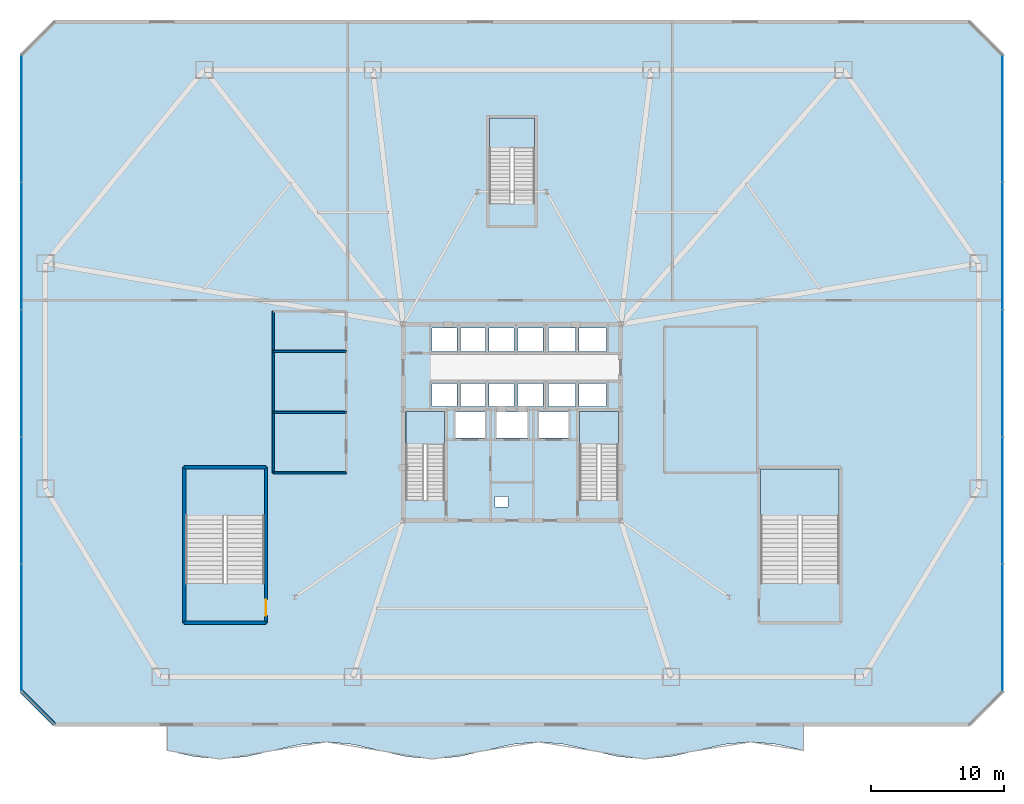
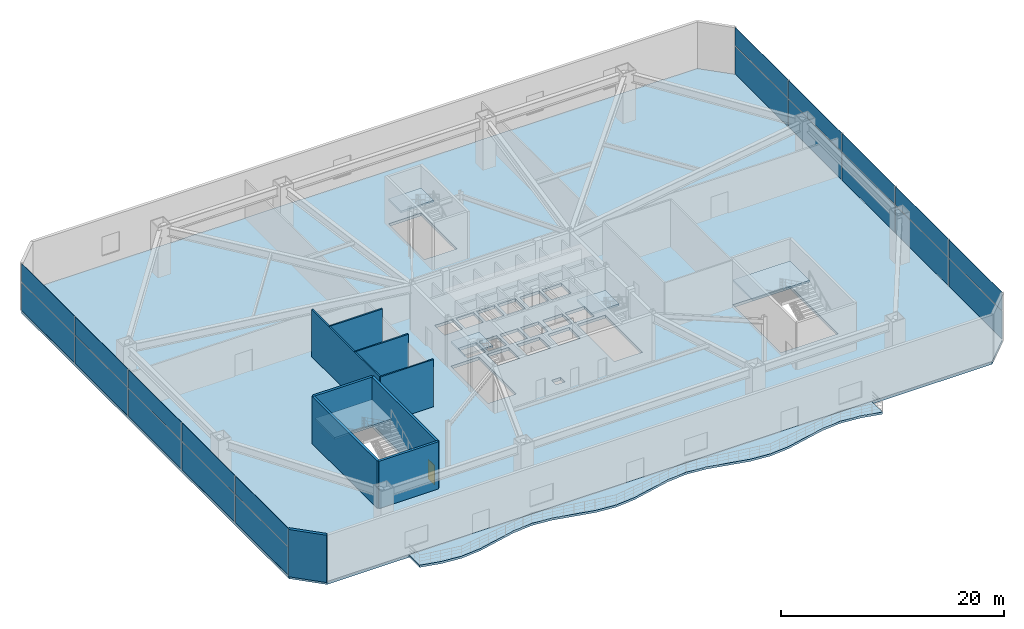
# One storey, part 12 of 20: 20 plates, 9 walls, 7 slabs, 1 door, 1 opening, 7 elements without a shape of their own.
"""IFC4 building model written with IfcOpenShell, lengths in metres."""

from ifc_helpers import new_model, si_unit, direction, frame, frame_2d, origin, origin_2d, place, context, subcontext, project, spatial, polyline, rectangle, outline, extrude, source, transform, mapped, material, layer, layer_set, type_object, type_shapes, element, fill, aggregate, save


model = new_model("IFC4")

# Units and contexts
model_context = context("Model", 3, precision=1e-05, world=origin(), true_north=direction((0.0, 1.0)))
body_context = subcontext(model_context, "Body", "Model", "MODEL_VIEW")
ifc_project = project(units=[si_unit("LENGTHUNIT", "METRE"), si_unit("AREAUNIT", "SQUARE_METRE"), si_unit("VOLUMEUNIT", "CUBIC_METRE"), si_unit("PLANEANGLEUNIT", "RADIAN"), si_unit("MASSUNIT", "GRAM", prefix="KILO")], contexts=[model_context])

# Site, building, storey
site_placement = place(None, origin())
site = spatial("IfcSite", under=ifc_project, at=site_placement, CompositionType="ELEMENT")
building_placement = place(site_placement, origin())
building = spatial("IfcBuilding", under=site, at=building_placement, Name="Varakhsha Concourse Tower", CompositionType="ELEMENT")
storey_placement = place(building_placement, frame((0.0, 0.0, 11.0)))
storey = spatial("IfcBuildingStorey", under=building, at=storey_placement, Name="L03", CompositionType="ELEMENT", Elevation=11.0)

# Slab
ifc_material_1 = material(Name="Concrete fc 45 MPa", Category="concrete")
ifc_layer_1 = layer(ifc_material_1, 0.320068359375, Name="SL-FLR-320")
ifc_layer_set_1 = layer_set([ifc_layer_1], Name="Concrete fc 45 MPa")
slab_type_1 = type_object("IfcSlabType", Name="SL-FLR-320", PredefinedType="FLOOR", material=ifc_layer_set_1)
slab_1_placement = place(storey_placement, frame((0.0, 0.0, -0.320068359375)))
element("IfcSlab", 1, at=slab_1_placement, inside=storey, type_object=slab_type_1, Name="L03 Composite Structural Slab", PredefinedType="FLOOR", context=body_context, shape_type="SweptSolid", body=[
    extrude(outline(polyline([(5.5, 1.0), (74.5, 1.0), (77.0, 3.5), (77.0, 51.5), (74.5, 54.0), (5.5, 54.0), (3.0, 51.5), (3.0, 3.5), (5.5, 1.0)]), holes=[polyline([(34.919921875, 17.93994140625), (34.919921875, 24.6298828125), (32.0, 24.6298828125), (32.0, 17.93994140625), (34.919921875, 17.93994140625)]), polyline([(48.02001953125, 17.93994140625), (48.02001953125, 24.6298828125), (45.10009765625, 24.6298828125), (45.10009765625, 17.93994140625), (48.02001953125, 17.93994140625)]), polyline([(21.320068359375, 11.659912109375), (21.320068359375, 20.300048828125), (15.39990234375, 20.300048828125), (15.39990234375, 11.659912109375), (21.320068359375, 11.659912109375)]), polyline([(64.679931640625, 11.659912109375), (64.679931640625, 20.300048828125), (58.760009765625, 20.300048828125), (58.760009765625, 11.659912109375), (64.679931640625, 11.659912109375)]), polyline([(41.699951171875, 40.300048828125), (41.699951171875, 46.75), (38.300048828125, 46.75), (38.300048828125, 40.300048828125), (41.699951171875, 40.300048828125)]), polyline([(33.9599609375, 29.159912109375), (35.840087890625, 29.159912109375), (35.840087890625, 30.89990234375), (33.9599609375, 30.89990234375), (33.9599609375, 29.159912109375)]), polyline([(36.1201171875, 29.159912109375), (38.0, 29.159912109375), (38.0, 30.89990234375), (36.1201171875, 30.89990234375), (36.1201171875, 29.159912109375)]), polyline([(38.280029296875, 29.159912109375), (40.159912109375, 29.159912109375), (40.159912109375, 30.89990234375), (38.280029296875, 30.89990234375), (38.280029296875, 29.159912109375)]), polyline([(40.43994140625, 29.159912109375), (42.320068359375, 29.159912109375), (42.320068359375, 30.89990234375), (40.43994140625, 30.89990234375), (40.43994140625, 29.159912109375)]), polyline([(33.9599609375, 25.0), (35.840087890625, 25.0), (35.840087890625, 26.739990234375), (33.9599609375, 26.739990234375), (33.9599609375, 25.0)]), polyline([(36.1201171875, 25.0), (38.0, 25.0), (38.0, 26.739990234375), (36.1201171875, 26.739990234375), (36.1201171875, 25.0)]), polyline([(38.280029296875, 25.0), (40.159912109375, 25.0), (40.159912109375, 26.739990234375), (38.280029296875, 26.739990234375), (38.280029296875, 25.0)]), polyline([(40.43994140625, 25.0), (42.320068359375, 25.0), (42.320068359375, 26.739990234375), (40.43994140625, 26.739990234375), (40.43994140625, 25.0)]), polyline([(42.739990234375, 29.159912109375), (44.780029296875, 29.159912109375), (44.780029296875, 30.89990234375), (42.739990234375, 30.89990234375), (42.739990234375, 29.159912109375)]), polyline([(45.06005859375, 29.159912109375), (47.10009765625, 29.159912109375), (47.10009765625, 30.89990234375), (45.06005859375, 30.89990234375), (45.06005859375, 29.159912109375)]), polyline([(42.739990234375, 25.0), (44.780029296875, 25.0), (44.780029296875, 26.739990234375), (42.739990234375, 26.739990234375), (42.739990234375, 25.0)]), polyline([(45.06005859375, 25.0), (47.10009765625, 25.0), (47.10009765625, 26.739990234375), (45.06005859375, 26.739990234375), (45.06005859375, 25.0)]), polyline([(35.7099609375, 22.639892578125), (37.989990234375, 22.639892578125), (37.989990234375, 24.60009765625), (35.7099609375, 24.60009765625), (35.7099609375, 22.639892578125)]), polyline([(42.010009765625, 22.639892578125), (44.2900390625, 22.639892578125), (44.2900390625, 24.60009765625), (42.010009765625, 24.60009765625), (42.010009765625, 22.639892578125)]), polyline([(38.81005859375, 22.639892578125), (41.18994140625, 22.639892578125), (41.18994140625, 24.60009765625), (38.81005859375, 24.60009765625), (38.81005859375, 22.639892578125)]), polyline([(38.719970703125, 17.39990234375), (39.679931640625, 17.39990234375), (39.679931640625, 18.199951171875), (38.719970703125, 18.199951171875), (38.719970703125, 17.39990234375)])]), origin(), (0.0, 0.0, 1.0), 0.320068359375),
])

# Stair, slab
stair_type_1 = type_object("IfcStairType", Name="ST-DOGLEG-1360", PredefinedType="HALF_TURN_STAIR", material=ifc_material_1)
stair_1_placement = place(storey_placement, origin())
stair_1 = element("IfcStair", 2, at=stair_1_placement, inside=storey, type_object=stair_type_1, Name="L03 Protected Exit Stair ST1", PredefinedType="HALF_TURN_STAIR")
ifc_layer_2 = layer(ifc_material_1, 0.199951171875, Name="SL-LAND-200")
ifc_layer_set_2 = layer_set([ifc_layer_2], Name="Concrete fc 45 MPa")
slab_type_2 = type_object("IfcSlabType", Name="SL-LAND-200", PredefinedType="LANDING", material=ifc_layer_set_2)
slab_2_placement = place(storey_placement, frame((0.0, 0.0, 2.550048828125)))
slab_2 = element("IfcSlab", 3, at=slab_2_placement, type_object=slab_type_2, Name="ST1 landing 1", PredefinedType="LANDING", context=body_context, shape_type="SweptSolid", body=[
    extrude(outline(polyline([(34.919921875, 22.139892578125), (34.919921875, 24.6298828125), (32.0, 24.6298828125), (32.0, 22.139892578125), (34.919921875, 22.139892578125)])), origin(), (0.0, 0.0, 1.0), 0.199951171875),
])
aggregate(stair_1, [slab_2])

stair_2_placement = place(storey_placement, origin())
stair_2 = element("IfcStair", 4, at=stair_2_placement, inside=storey, type_object=stair_type_1, Name="L03 Protected Exit Stair ST2", PredefinedType="HALF_TURN_STAIR")
slab_3_placement = place(storey_placement, frame((0.0, 0.0, 2.550048828125)))
slab_3 = element("IfcSlab", 5, at=slab_3_placement, type_object=slab_type_2, Name="ST2 landing 1", PredefinedType="LANDING", context=body_context, shape_type="SweptSolid", body=[
    extrude(outline(polyline([(48.02001953125, 22.139892578125), (48.02001953125, 24.6298828125), (45.10009765625, 24.6298828125), (45.10009765625, 22.139892578125), (48.02001953125, 22.139892578125)])), origin(), (0.0, 0.0, 1.0), 0.199951171875),
])
aggregate(stair_2, [slab_3])

stair_type_2 = type_object("IfcStairType", Name="ST-DOGLEG-2860", PredefinedType="HALF_TURN_STAIR", material=ifc_material_1)
stair_3_placement = place(storey_placement, origin())
stair_3 = element("IfcStair", 6, at=stair_3_placement, inside=storey, type_object=stair_type_2, Name="L03 Protected Exit Stair ST3", PredefinedType="HALF_TURN_STAIR")
slab_4_placement = place(storey_placement, frame((0.0, 0.0, 2.550048828125)))
slab_4 = element("IfcSlab", 7, at=slab_4_placement, type_object=slab_type_2, Name="ST3 landing 1", PredefinedType="LANDING", context=body_context, shape_type="SweptSolid", body=[
    extrude(outline(polyline([(21.320068359375, 16.760009765625), (21.320068359375, 20.300048828125), (15.39990234375, 20.300048828125), (15.39990234375, 16.760009765625), (21.320068359375, 16.760009765625)])), origin(), (0.0, 0.0, 1.0), 0.199951171875),
])
aggregate(stair_3, [slab_4])

stair_4_placement = place(storey_placement, origin())
stair_4 = element("IfcStair", 8, at=stair_4_placement, inside=storey, type_object=stair_type_2, Name="L03 Protected Exit Stair ST4", PredefinedType="HALF_TURN_STAIR")
slab_5_placement = place(storey_placement, frame((0.0, 0.0, 2.550048828125)))
slab_5 = element("IfcSlab", 9, at=slab_5_placement, type_object=slab_type_2, Name="ST4 landing 1", PredefinedType="LANDING", context=body_context, shape_type="SweptSolid", body=[
    extrude(outline(polyline([(64.679931640625, 16.760009765625), (64.679931640625, 20.300048828125), (58.760009765625, 20.300048828125), (58.760009765625, 16.760009765625), (64.679931640625, 16.760009765625)])), origin(), (0.0, 0.0, 1.0), 0.199951171875),
])
aggregate(stair_4, [slab_5])

stair_type_3 = type_object("IfcStairType", Name="ST-DOGLEG-1600", PredefinedType="HALF_TURN_STAIR", material=ifc_material_1)
stair_5_placement = place(storey_placement, origin())
stair_5 = element("IfcStair", 10, at=stair_5_placement, inside=storey, type_object=stair_type_3, Name="L03 Protected Exit Stair ST5", PredefinedType="HALF_TURN_STAIR")
slab_6_placement = place(storey_placement, frame((0.0, 0.0, 2.550048828125)))
slab_6 = element("IfcSlab", 11, at=slab_6_placement, type_object=slab_type_2, Name="ST5 landing 1", PredefinedType="LANDING", context=body_context, shape_type="SweptSolid", body=[
    extrude(outline(polyline([(41.699951171875, 44.5), (41.699951171875, 46.75), (38.300048828125, 46.75), (38.300048828125, 44.5), (41.699951171875, 44.5)])), origin(), (0.0, 0.0, 1.0), 0.199951171875),
])
aggregate(stair_5, [slab_6])

# Slab
ifc_layer_3 = layer(ifc_material_1, 0.239990234375, Name="SL-TERR-240")
ifc_layer_set_3 = layer_set([ifc_layer_3], Name="Concrete fc 45 MPa")
slab_type_3 = type_object("IfcSlabType", Name="SL-TERR-240", PredefinedType="FLOOR", material=ifc_layer_set_3)
slab_7_placement = place(storey_placement, frame((0.0, 0.0, -0.239990234375)))
element("IfcSlab", 12, at=slab_7_placement, inside=storey, type_object=slab_type_3, Name="L03 Sinusoidal Wave Podium Terrace", PredefinedType="FLOOR", context=body_context, shape_type="SweptSolid", body=[
    extrude(outline(polyline([(14.0, 1.0), (62.0, 1.0), (62.0, -0.949951171875), (60.0, -0.490478515625), (58.0, -0.300048828125), (56.0, -0.490478515625), (54.0, -0.949951171875), (52.0, -1.40966796875), (50.0, -1.60009765625), (48.0, -1.40966796875), (46.0, -0.949951171875), (44.0, -0.490478515625), (42.0, -0.300048828125), (40.0, -0.490478515625), (38.0, -0.949951171875), (36.0, -1.40966796875), (34.0, -1.60009765625), (32.0, -1.40966796875), (30.0, -0.949951171875), (28.0, -0.490478515625), (26.0, -0.300048828125), (24.0, -0.490478515625), (22.0, -0.949951171875), (20.0, -1.40966796875), (18.0, -1.60009765625), (16.0, -1.40966796875), (14.0, -0.949951171875), (14.0, 1.0)])), origin(), (0.0, 0.0, 1.0), 0.239990234375),
])

# Curtain wall, plates
ifc_material_2 = material(Name="Anodised Bronze Architectural Aluminium AA 6063-T6", Category="aluminium")
ifc_layer_4 = layer(ifc_material_2, 0.239990234375, Name="CW-SYS-01")
ifc_layer_set_4 = layer_set([ifc_layer_4], Name="Anodised Bronze Architectural Aluminium AA 6063-T6")
curtain_wall_type = type_object("IfcCurtainWallType", Name="CW-SYS-01", PredefinedType="NOTDEFINED", material=ifc_layer_set_4)
curtain_wall_1_placement = place(storey_placement, origin())
curtain_wall_1 = element("IfcCurtainWall", 13, at=curtain_wall_1_placement, inside=storey, type_object=curtain_wall_type, Name="L03 Podium Curtain Wall 03", PredefinedType="NOTDEFINED")
ifc_material_3 = material(Name="Low-E Triple Insulating Glass IGU 44 mm", Category="glass")
ifc_layer_5 = layer(ifc_material_3, 0.0439453125, Name="CWP-IGU-44")
ifc_layer_set_5 = layer_set([ifc_layer_5], Name="Low-E Triple Insulating Glass IGU 44 mm")
plate_type_1 = type_object("IfcPlateType", Name="CWP-IGU-44", PredefinedType="CURTAIN_PANEL", material=ifc_layer_set_5)
shared_shape_1 = source(origin(), body_context, "Body", "SweptSolid", [
    extrude(rectangle(XDim=9.52099609375, YDim=0.0439453125, at=origin_2d()), origin(), (0.0, 0.0, 1.0), 3.031005859375),
])
type_shapes(plate_type_1, [shared_shape_1])
plate_1_placement = place(storey_placement, frame((77.0, 8.300048828125, 0.03466796875), z_axis=(0.0, 0.0, 1.0), x_axis=(0.0, 1.0, 0.0)))
plate_1 = element("IfcPlate", 14, at=plate_1_placement, type_object=plate_type_1, Name="CW-POD-L03-03 Panel 00-00", PredefinedType="CURTAIN_PANEL", context=body_context, shape_type="MappedRepresentation", body=[
    mapped(shared_shape_1, transform((0.0, 0.0, 0.0), scale=1.0)),
])
plate_2_placement = place(storey_placement, frame((77.0, 17.89990234375, 0.03466796875), z_axis=(0.0, 0.0, 1.0), x_axis=(0.0, 1.0, 0.0)))
plate_2 = element("IfcPlate", 15, at=plate_2_placement, type_object=plate_type_1, Name="CW-POD-L03-03 Panel 01-00", PredefinedType="CURTAIN_PANEL", context=body_context, shape_type="MappedRepresentation", body=[
    mapped(shared_shape_1, transform((0.0, 0.0, 0.0), scale=1.0)),
])
plate_3_placement = place(storey_placement, frame((77.0, 27.5, 0.03466796875), z_axis=(0.0, 0.0, 1.0), x_axis=(0.0, 1.0, 0.0)))
plate_3 = element("IfcPlate", 16, at=plate_3_placement, type_object=plate_type_1, Name="CW-POD-L03-03 Panel 02-00", PredefinedType="CURTAIN_PANEL", context=body_context, shape_type="MappedRepresentation", body=[
    mapped(shared_shape_1, transform((0.0, 0.0, 0.0), scale=1.0)),
])
plate_4_placement = place(storey_placement, frame((77.0, 37.10009765625, 0.03466796875), z_axis=(0.0, 0.0, 1.0), x_axis=(0.0, 1.0, 0.0)))
plate_4 = element("IfcPlate", 17, at=plate_4_placement, type_object=plate_type_1, Name="CW-POD-L03-03 Panel 03-00", PredefinedType="CURTAIN_PANEL", context=body_context, shape_type="MappedRepresentation", body=[
    mapped(shared_shape_1, transform((0.0, 0.0, 0.0), scale=1.0)),
])
plate_5_placement = place(storey_placement, frame((77.0, 46.699951171875, 0.03466796875), z_axis=(0.0, 0.0, 1.0), x_axis=(0.0, 1.0, 0.0)))
plate_5 = element("IfcPlate", 18, at=plate_5_placement, type_object=plate_type_1, Name="CW-POD-L03-03 Panel 04-00", PredefinedType="CURTAIN_PANEL", context=body_context, shape_type="MappedRepresentation", body=[
    mapped(shared_shape_1, transform((0.0, 0.0, 0.0), scale=1.0)),
])

curtain_wall_2_placement = place(storey_placement, origin())
curtain_wall_2 = element("IfcCurtainWall", 19, at=curtain_wall_2_placement, inside=storey, type_object=curtain_wall_type, Name="L03 Podium Curtain Wall 07", PredefinedType="NOTDEFINED")
plate_6_placement = place(storey_placement, frame((3.0, 46.699951171875, 0.03466796875), z_axis=(0.0, 0.0, 1.0), x_axis=(0.0, -1.0, 0.0)))
plate_6 = element("IfcPlate", 20, at=plate_6_placement, type_object=plate_type_1, Name="CW-POD-L03-07 Panel 00-00", PredefinedType="CURTAIN_PANEL", context=body_context, shape_type="MappedRepresentation", body=[
    mapped(shared_shape_1, transform((0.0, 0.0, 0.0), scale=1.0)),
])
plate_7_placement = place(storey_placement, frame((3.0, 37.10009765625, 0.03466796875), z_axis=(0.0, 0.0, 1.0), x_axis=(0.0, -1.0, 0.0)))
plate_7 = element("IfcPlate", 21, at=plate_7_placement, type_object=plate_type_1, Name="CW-POD-L03-07 Panel 01-00", PredefinedType="CURTAIN_PANEL", context=body_context, shape_type="MappedRepresentation", body=[
    mapped(shared_shape_1, transform((0.0, 0.0, 0.0), scale=1.0)),
])
plate_8_placement = place(storey_placement, frame((3.0, 27.5, 0.03466796875), z_axis=(0.0, 0.0, 1.0), x_axis=(0.0, -1.0, 0.0)))
plate_8 = element("IfcPlate", 22, at=plate_8_placement, type_object=plate_type_1, Name="CW-POD-L03-07 Panel 02-00", PredefinedType="CURTAIN_PANEL", context=body_context, shape_type="MappedRepresentation", body=[
    mapped(shared_shape_1, transform((0.0, 0.0, 0.0), scale=1.0)),
])
plate_9_placement = place(storey_placement, frame((3.0, 17.89990234375, 0.03466796875), z_axis=(0.0, 0.0, 1.0), x_axis=(0.0, -1.0, 0.0)))
plate_9 = element("IfcPlate", 23, at=plate_9_placement, type_object=plate_type_1, Name="CW-POD-L03-07 Panel 03-00", PredefinedType="CURTAIN_PANEL", context=body_context, shape_type="MappedRepresentation", body=[
    mapped(shared_shape_1, transform((0.0, 0.0, 0.0), scale=1.0)),
])
plate_10_placement = place(storey_placement, frame((3.0, 8.300048828125, 0.03466796875), z_axis=(0.0, 0.0, 1.0), x_axis=(0.0, -1.0, 0.0)))
plate_10 = element("IfcPlate", 24, at=plate_10_placement, type_object=plate_type_1, Name="CW-POD-L03-07 Panel 04-00", PredefinedType="CURTAIN_PANEL", context=body_context, shape_type="MappedRepresentation", body=[
    mapped(shared_shape_1, transform((0.0, 0.0, 0.0), scale=1.0)),
])

# Plate
ifc_material_4 = material(Name="Glazed Turquoise-Bronze Ceramic Spandrel Panel 38 mm", Category="ceramic")
ifc_layer_6 = layer(ifc_material_4, 0.0380859375, Name="CWP-SPN-38")
ifc_layer_set_6 = layer_set([ifc_layer_6], Name="Glazed Turquoise-Bronze Ceramic Spandrel Panel 38 mm")
plate_type_2 = type_object("IfcPlateType", Name="CWP-SPN-38", PredefinedType="USERDEFINED", material=ifc_layer_set_6)
shared_shape_2 = source(origin(), body_context, "Body", "SweptSolid", [
    extrude(rectangle(XDim=9.52099609375, YDim=0.0380859375, at=origin_2d()), origin(), (0.0, 0.0, 1.0), 2.010986328125),
])
type_shapes(plate_type_2, [shared_shape_2])
plate_11_placement = place(storey_placement, frame((77.0, 8.300048828125, 3.13427734375), z_axis=(0.0, 0.0, 1.0), x_axis=(0.0, 1.0, 0.0)))
plate_11 = element("IfcPlate", 25, at=plate_11_placement, type_object=plate_type_2, Name="CW-POD-L03-03 Panel 00-01", ObjectType="SPANDREL", PredefinedType="USERDEFINED", context=body_context, shape_type="MappedRepresentation", body=[
    mapped(shared_shape_2, transform((0.0, 0.0, 0.0), scale=1.0)),
])

plate_12_placement = place(storey_placement, frame((77.0, 17.89990234375, 3.13427734375), z_axis=(0.0, 0.0, 1.0), x_axis=(0.0, 1.0, 0.0)))
plate_12 = element("IfcPlate", 26, at=plate_12_placement, type_object=plate_type_2, Name="CW-POD-L03-03 Panel 01-01", ObjectType="SPANDREL", PredefinedType="USERDEFINED", context=body_context, shape_type="MappedRepresentation", body=[
    mapped(shared_shape_2, transform((0.0, 0.0, 0.0), scale=1.0)),
])

plate_13_placement = place(storey_placement, frame((77.0, 27.5, 3.13427734375), z_axis=(0.0, 0.0, 1.0), x_axis=(0.0, 1.0, 0.0)))
plate_13 = element("IfcPlate", 27, at=plate_13_placement, type_object=plate_type_2, Name="CW-POD-L03-03 Panel 02-01", ObjectType="SPANDREL", PredefinedType="USERDEFINED", context=body_context, shape_type="MappedRepresentation", body=[
    mapped(shared_shape_2, transform((0.0, 0.0, 0.0), scale=1.0)),
])

plate_14_placement = place(storey_placement, frame((77.0, 37.10009765625, 3.13427734375), z_axis=(0.0, 0.0, 1.0), x_axis=(0.0, 1.0, 0.0)))
plate_14 = element("IfcPlate", 28, at=plate_14_placement, type_object=plate_type_2, Name="CW-POD-L03-03 Panel 03-01", ObjectType="SPANDREL", PredefinedType="USERDEFINED", context=body_context, shape_type="MappedRepresentation", body=[
    mapped(shared_shape_2, transform((0.0, 0.0, 0.0), scale=1.0)),
])

plate_15_placement = place(storey_placement, frame((77.0, 46.699951171875, 3.13427734375), z_axis=(0.0, 0.0, 1.0), x_axis=(0.0, 1.0, 0.0)))
plate_15 = element("IfcPlate", 29, at=plate_15_placement, type_object=plate_type_2, Name="CW-POD-L03-03 Panel 04-01", ObjectType="SPANDREL", PredefinedType="USERDEFINED", context=body_context, shape_type="MappedRepresentation", body=[
    mapped(shared_shape_2, transform((0.0, 0.0, 0.0), scale=1.0)),
])

aggregate(curtain_wall_1, [plate_1, plate_11, plate_2, plate_12, plate_3, plate_13, plate_4, plate_14, plate_5, plate_15])

plate_16_placement = place(storey_placement, frame((3.0, 46.699951171875, 3.13427734375), z_axis=(0.0, 0.0, 1.0), x_axis=(0.0, -1.0, 0.0)))
plate_16 = element("IfcPlate", 30, at=plate_16_placement, type_object=plate_type_2, Name="CW-POD-L03-07 Panel 00-01", ObjectType="SPANDREL", PredefinedType="USERDEFINED", context=body_context, shape_type="MappedRepresentation", body=[
    mapped(shared_shape_2, transform((0.0, 0.0, 0.0), scale=1.0)),
])

plate_17_placement = place(storey_placement, frame((3.0, 37.10009765625, 3.13427734375), z_axis=(0.0, 0.0, 1.0), x_axis=(0.0, -1.0, 0.0)))
plate_17 = element("IfcPlate", 31, at=plate_17_placement, type_object=plate_type_2, Name="CW-POD-L03-07 Panel 01-01", ObjectType="SPANDREL", PredefinedType="USERDEFINED", context=body_context, shape_type="MappedRepresentation", body=[
    mapped(shared_shape_2, transform((0.0, 0.0, 0.0), scale=1.0)),
])

plate_18_placement = place(storey_placement, frame((3.0, 27.5, 3.13427734375), z_axis=(0.0, 0.0, 1.0), x_axis=(0.0, -1.0, 0.0)))
plate_18 = element("IfcPlate", 32, at=plate_18_placement, type_object=plate_type_2, Name="CW-POD-L03-07 Panel 02-01", ObjectType="SPANDREL", PredefinedType="USERDEFINED", context=body_context, shape_type="MappedRepresentation", body=[
    mapped(shared_shape_2, transform((0.0, 0.0, 0.0), scale=1.0)),
])

plate_19_placement = place(storey_placement, frame((3.0, 17.89990234375, 3.13427734375), z_axis=(0.0, 0.0, 1.0), x_axis=(0.0, -1.0, 0.0)))
plate_19 = element("IfcPlate", 33, at=plate_19_placement, type_object=plate_type_2, Name="CW-POD-L03-07 Panel 03-01", ObjectType="SPANDREL", PredefinedType="USERDEFINED", context=body_context, shape_type="MappedRepresentation", body=[
    mapped(shared_shape_2, transform((0.0, 0.0, 0.0), scale=1.0)),
])

plate_20_placement = place(storey_placement, frame((3.0, 8.300048828125, 3.13427734375), z_axis=(0.0, 0.0, 1.0), x_axis=(0.0, -1.0, 0.0)))
plate_20 = element("IfcPlate", 34, at=plate_20_placement, type_object=plate_type_2, Name="CW-POD-L03-07 Panel 04-01", ObjectType="SPANDREL", PredefinedType="USERDEFINED", context=body_context, shape_type="MappedRepresentation", body=[
    mapped(shared_shape_2, transform((0.0, 0.0, 0.0), scale=1.0)),
])

aggregate(curtain_wall_2, [plate_6, plate_16, plate_7, plate_17, plate_8, plate_18, plate_9, plate_19, plate_10, plate_20])

# Walls
ifc_layer_7 = layer(ifc_material_1, 0.300048828125, Name="WL-EXT-POD-300")
ifc_layer_set_7 = layer_set([ifc_layer_7], Name="Concrete fc 45 MPa")
wall_type_1 = type_object("IfcWallType", Name="WL-EXT-POD-300", PredefinedType="STANDARD", material=ifc_layer_set_7)
wall_1_placement = place(storey_placement, frame((3.0, 3.5, 0.0), z_axis=(0.0, 0.0, 1.0), x_axis=(0.707106781187, -0.707106781187, 0.0)))
element("IfcWall", 35, at=wall_1_placement, inside=storey, type_object=wall_type_1, Name="L03 Podium Chamfer Wall 7", PredefinedType="STANDARD", context=body_context, shape_type="SweptSolid", body=[
    extrude(rectangle(XDim=3.53564453125, YDim=0.300048828125, at=frame_2d((1.767822265625, 0.0))), origin(), (0.0, 0.0, 1.0), 5.179931640625),
])
ifc_material_5 = material(Name="Fire-Rated Type X Gypsum Partition Assembly", Category="gypsum")
ifc_layer_8 = layer(ifc_material_5, 0.14990234375, Name="WL-PART-150")
ifc_layer_set_8 = layer_set([ifc_layer_8], Name="Fire-Rated Type X Gypsum Partition Assembly")
wall_type_2 = type_object("IfcWallType", Name="WL-PART-150", PredefinedType="PARTITIONING", material=ifc_layer_set_8)
wall_2_placement = place(storey_placement, frame((22.0, 20.0, 0.0), z_axis=(0.0, 0.0, 1.0), x_axis=(0.0, 1.0, 0.0)))
element("IfcWall", 36, at=wall_2_placement, inside=storey, type_object=wall_type_2, Name="L03 Wall L03W-WCW", PredefinedType="PARTITIONING", context=body_context, shape_type="SweptSolid", body=[
    extrude(rectangle(XDim=12.199951171875, YDim=0.14990234375, at=frame_2d((6.10009765625, 0.0))), origin(), (0.0, 0.0, 1.0), 5.179931640625),
])
for number, where, z_axis, x_axis, name in (
    (37, (22.0, 20.0, 0.0), (0.0, 0.0, 1.0), (1.0, 0.0, 0.0), "L03 Wall L03W-WCS"),
    (38, (22.0, 24.550048828125, 0.0), (0.0, 0.0, 1.0), (1.0, 0.0, 0.0), "L03 Wall L03W-WCD1"),
    (39, (22.0, 29.14990234375, 0.0), (0.0, 0.0, 1.0), (1.0, 0.0, 0.0), "L03 Wall L03W-WCD2"),
):
    element("IfcWall", number, at=place(storey_placement, frame(where, z_axis=z_axis, x_axis=x_axis)), inside=storey, type_object=wall_type_2, Name=name, PredefinedType="PARTITIONING", context=body_context, shape_type="SweptSolid", body=[
        extrude(rectangle(XDim=5.5, YDim=0.14990234375, at=frame_2d((2.75, 0.0))), origin(), (0.0, 0.0, 1.0), 5.179931640625),
    ])
ifc_layer_9 = layer(ifc_material_1, 0.25, Name="WL-STAIR-250")
ifc_layer_set_9 = layer_set([ifc_layer_9], Name="Concrete fc 45 MPa")
wall_type_3 = type_object("IfcWallType", Name="WL-STAIR-250", PredefinedType="SHEAR", material=ifc_layer_set_9)
for number, where, z_axis, x_axis, name in (
    (40, (15.27490234375, 20.425048828125, 0.0), (0.0, 0.0, 1.0), (1.0, 0.0, 0.0), "L03 Wall ST3W-N-L03"),
    (41, (15.27490234375, 8.675048828125, 0.0), (0.0, 0.0, 1.0), (1.0, 0.0, 0.0), "L03 Wall ST3W-S-L03"),
):
    element("IfcWall", number, at=place(storey_placement, frame(where, z_axis=z_axis, x_axis=x_axis)), inside=storey, type_object=wall_type_3, Name=name, PredefinedType="SHEAR", context=body_context, shape_type="SweptSolid", body=[
        extrude(rectangle(XDim=6.170166015625, YDim=0.25, at=frame_2d((3.0849609375, 0.0))), origin(), (0.0, 0.0, 1.0), 5.179931640625),
    ])
wall_3_placement = place(storey_placement, frame((15.27490234375, 8.675048828125, 0.0), z_axis=(0.0, 0.0, 1.0), x_axis=(0.0, 1.0, 0.0)))
element("IfcWall", 42, at=wall_3_placement, inside=storey, type_object=wall_type_3, Name="L03 Wall ST3W-W-L03", PredefinedType="SHEAR", context=body_context, shape_type="SweptSolid", body=[
    extrude(rectangle(XDim=11.75, YDim=0.25, at=frame_2d((5.875, 0.0))), origin(), (0.0, 0.0, 1.0), 5.179931640625),
])

# Wall, opening, door
wall_4_placement = place(storey_placement, frame((21.445068359375, 8.675048828125, 0.0), z_axis=(0.0, 0.0, 1.0), x_axis=(0.0, 1.0, 0.0)))
wall_4 = element("IfcWall", 43, at=wall_4_placement, inside=storey, type_object=wall_type_3, Name="L03 Wall ST3W-E-L03", PredefinedType="SHEAR", context=body_context, shape_type="SweptSolid", body=[
    extrude(rectangle(XDim=11.75, YDim=0.25, at=frame_2d((5.875, 0.0))), origin(), (0.0, 0.0, 1.0), 5.179931640625),
])
opening_placement = place(wall_4_placement, frame((0.550048828125, 0.0, 0.0)))
opening = element("IfcOpeningElement", 44, at=opening_placement, cuts=wall_4, Name="Opening DF-01", PredefinedType="OPENING", context=body_context, shape_type="SweptSolid", body=[
    extrude(rectangle(XDim=1.199951171875, YDim=2.14990234375, at=frame_2d((0.60009765625, 1.074951171875))), frame((0.0, 0.135009765625, 0.0), z_axis=(0.0, -1.0, 0.0), x_axis=(1.0, 0.0, 0.0)), (0.0, 0.0, 1.0), 0.27001953125),
])
ifc_material_6 = material(Name="Hollow Galvanised Steel Fire Door Assembly", Category="steel")
door_type = type_object("IfcDoorType", Name="DR-FD90-1200", OperationType="NOTDEFINED", PredefinedType="DOOR", material=ifc_material_6)
door_placement = place(opening_placement, origin())
door = element("IfcDoor", 45, at=door_placement, inside=storey, type_object=door_type, Name="L03 Stair ST3 Door", OperationType="SINGLE_SWING_LEFT", OverallHeight=2.14990234375, OverallWidth=1.199951171875, PredefinedType="DOOR", context=body_context, shape_type="SweptSolid", body=[
    extrude(rectangle(XDim=1.199951171875, YDim=2.14990234375, at=frame_2d((0.60009765625, 1.074951171875))), frame((0.0, 0.02490234375, 0.0), z_axis=(0.0, -1.0, 0.0), x_axis=(1.0, 0.0, 0.0)), (0.0, 0.0, 1.0), 0.050048828125),
])
fill(opening, door)

save(model, "model.ifc")
